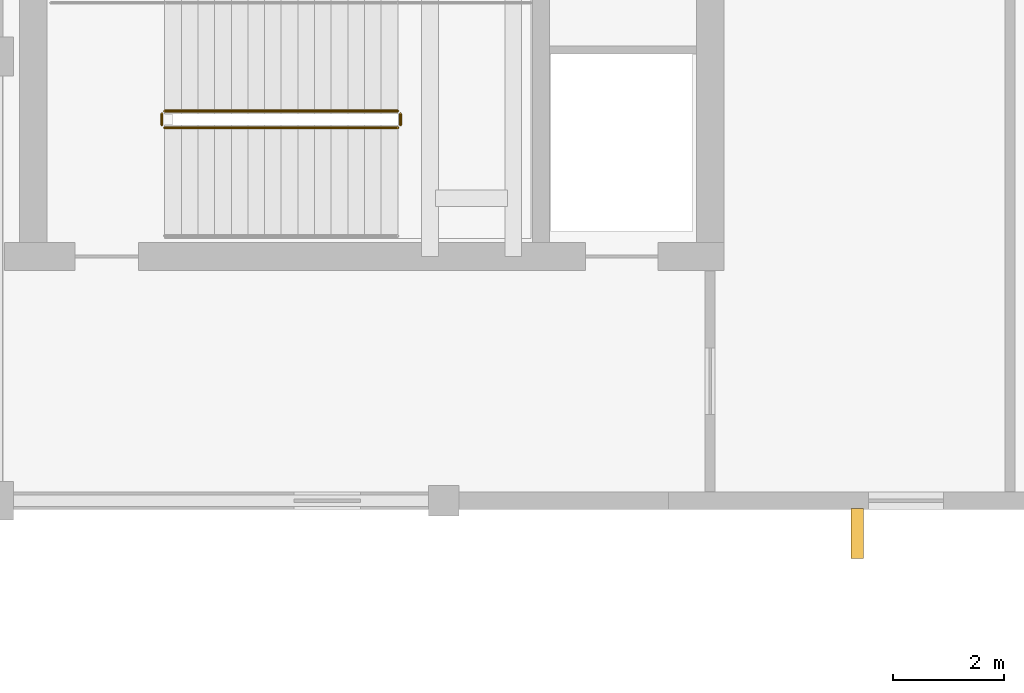
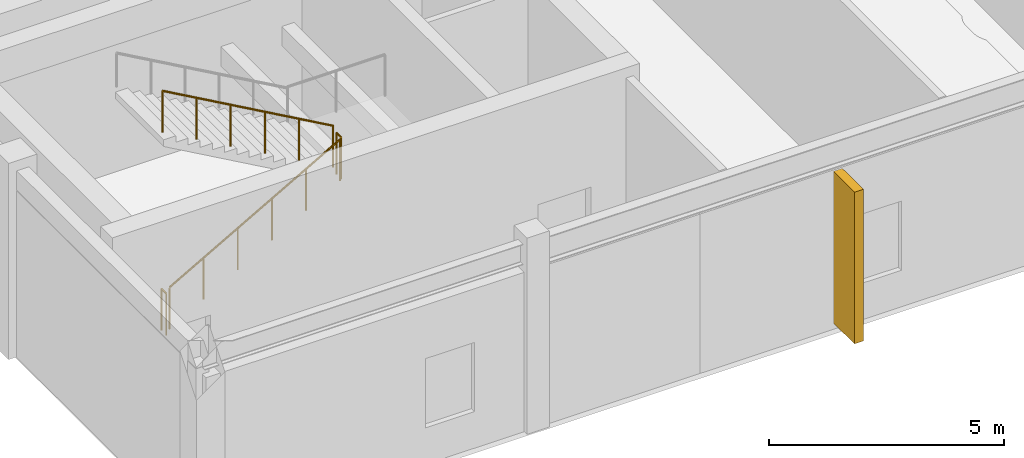
# One storey, part 104 of 107: 4 railings, 1 shading device.
"""IFC4 building model written with IfcOpenShell, lengths in metres."""

import ifcopenshell
import ifcopenshell.guid

model = None  # the IFC model being written
_history = None  # IfcOwnerHistory: only IFC2X3 demands one
_inside = {}  # id of a spatial element -> (the spatial element, [elements in it])
_under = {}  # id of a project, library or spatial element -> (it, [spatial elements below it])
_declared = {}  # id of a project -> (the project, [libraries it declares])
_typed = {}  # id of a type object -> (the type object, [elements of that type])
_made_of = {}  # id of a material, layer set ... -> (it, [elements and type objects made of it])


def new_model(schema):
    """Start an empty IFC model of exactly this schema.

    Asked for "IFC4X3", IfcOpenShell would pick the latest addendum, in which some entities
    have other attributes; the version numbers below select the first issue.
    IFC2X3 requires an IfcOwnerHistory on every rooted entity: one is made here for all.
    """
    global model, _history
    if schema == "IFC4X3":
        model = ifcopenshell.file(schema_version=(4, 3, 0, 0))
    else:
        model = ifcopenshell.file(schema=schema)
    _inside.clear()
    _under.clear()
    _declared.clear()
    _typed.clear()
    _made_of.clear()
    _history = None
    if model.schema == "IFC2X3":
        org = make("IfcOrganization", Name="unknown")
        user = make(
            "IfcPersonAndOrganization",
            ThePerson=make("IfcPerson", FamilyName="unknown"),
            TheOrganization=org,
        )
        app = make(
            "IfcApplication",
            ApplicationDeveloper=org,
            Version="unknown",
            ApplicationFullName="unknown",
            ApplicationIdentifier="unknown",
        )
        _history = make(
            "IfcOwnerHistory",
            OwningUser=user,
            OwningApplication=app,
            ChangeAction="ADDED",
            CreationDate=0,
        )
    return model


def make(cls, **values):
    """One entity of the class cls with the attributes given. An attribute that is None is left unset."""
    return model.create_entity(
        cls, **{name: value for name, value in values.items() if value is not None}
    )


def rooted(cls, **values):
    """An entity with a GlobalId (a new one), such as an element, a storey or a relation."""
    return make(cls, GlobalId=ifcopenshell.guid.new(), OwnerHistory=_history, **values)


def si_unit(unit_type, name, prefix=None):
    """IfcSIUnit, for example si_unit("LENGTHUNIT", "METRE", prefix="MILLI")."""
    return make("IfcSIUnit", UnitType=unit_type, Prefix=prefix, Name=name)


def assignment(units):
    """IfcUnitAssignment: the units of a project."""
    return None if units is None else make("IfcUnitAssignment", Units=units)


def point(xyz):
    """IfcCartesianPoint."""
    return None if xyz is None else make("IfcCartesianPoint", Coordinates=xyz)


def direction(xyz):
    """IfcDirection."""
    return None if xyz is None else make("IfcDirection", DirectionRatios=xyz)


def frame(location, z_axis=None, x_axis=None):
    """IfcAxis2Placement3D, a coordinate frame: its origin and axes. An axis left out is left unset."""
    return make(
        "IfcAxis2Placement3D",
        Location=point(location),
        Axis=direction(z_axis),
        RefDirection=direction(x_axis),
    )


def frame_2d(location, x_axis=None):
    """IfcAxis2Placement2D, a coordinate frame in the plane: its origin and x axis."""
    return make(
        "IfcAxis2Placement2D", Location=point(location), RefDirection=direction(x_axis)
    )


def origin():
    """The frame at (0, 0, 0) with its axes left unset."""
    return frame((0.0, 0.0, 0.0))


def origin_2d():
    """The frame at (0, 0) in the plane with its x axis left unset."""
    return frame_2d((0.0, 0.0))


def place(relative_to, where):
    """IfcLocalPlacement: puts the frame where relative to a parent placement (None: the world)."""
    return make(
        "IfcLocalPlacement", PlacementRelTo=relative_to, RelativePlacement=where
    )


def context(
    kind, dimensions, precision=None, world=None, true_north=None, identifier=None
):
    """IfcGeometricRepresentationContext, for example the 3D "Model" context."""
    return make(
        "IfcGeometricRepresentationContext",
        ContextIdentifier=identifier,
        ContextType=kind,
        CoordinateSpaceDimension=dimensions,
        Precision=precision,
        WorldCoordinateSystem=world,
        TrueNorth=true_north,
    )


def subcontext(parent, identifier, kind, view, scale=None):
    """IfcGeometricRepresentationSubContext, for example "Body" below "Model"."""
    return make(
        "IfcGeometricRepresentationSubContext",
        ContextIdentifier=identifier,
        ContextType=kind,
        ParentContext=parent,
        TargetScale=scale,
        TargetView=view,
    )


def project(units=None, contexts=None):
    """IfcProject with its units and contexts."""
    return rooted(
        "IfcProject",
        Name="project",
        RepresentationContexts=contexts,
        UnitsInContext=assignment(units),
    )


def spatial(cls, under=None, at=None, **own):
    """A site, building, storey or space (cls), placed at a placement, below another one or the project."""
    s = rooted(cls, ObjectPlacement=at, **own)
    if under is not None:
        _under.setdefault(under.id(), (under, []))[1].append(s)
    return s


def profile(cls, at=None, kind="AREA", **sizes):
    """A parametric profile (cls). Its sizes go by their IFC names, for example OverallWidth=200.0."""
    return make(cls, ProfileType=kind, Position=at, **sizes)


def rectangle(**sizes):
    """IfcRectangleProfileDef."""
    return profile("IfcRectangleProfileDef", **sizes)


def circle(**sizes):
    """IfcCircleProfileDef."""
    return profile("IfcCircleProfileDef", **sizes)


def extrude(swept, where, along, depth):
    """IfcExtrudedAreaSolid: the profile swept, set in the frame where, extruded along a direction by depth."""
    return make(
        "IfcExtrudedAreaSolid",
        SweptArea=swept,
        Position=where,
        ExtrudedDirection=direction(along),
        Depth=depth,
    )


def shape(context_of_items, identifier, shape_type, items):
    """IfcShapeRepresentation: the items that make up one representation, for example the "Body"."""
    return make(
        "IfcShapeRepresentation",
        ContextOfItems=context_of_items,
        RepresentationIdentifier=identifier,
        RepresentationType=shape_type,
        Items=items,
    )


def material(Name=None, Category=None):
    """IfcMaterial."""
    return make("IfcMaterial", Name=Name, Category=Category)


def material_profile(
    of_material, cross_section, Name=None, Category=None, Priority=None
):
    """IfcMaterialProfile: a cross section and its material."""
    return make(
        "IfcMaterialProfile",
        Name=Name,
        Material=of_material,
        Profile=cross_section,
        Priority=Priority,
        Category=Category,
    )


def profile_set(profiles, Name=None, composite=None):
    """IfcMaterialProfileSet."""
    return make(
        "IfcMaterialProfileSet",
        Name=Name,
        MaterialProfiles=profiles,
        CompositeProfile=composite,
    )


def made_of(thing, what):
    """Note that an element or type object is made of a material, layer set ...; save() writes the relation."""
    if what is not None:
        _made_of.setdefault(what.id(), (what, []))[1].append(thing)
    return thing


def type_object(cls, material=None, **own):
    """A type object (cls), such as IfcWallType, which elements share."""
    return made_of(rooted(cls, **own), material)


def element(
    cls,
    number,
    at=None,
    inside=None,
    cuts=None,
    type_object=None,
    material=None,
    context=None,
    identifier="Body",
    shape_type=None,
    held_by="IfcProductDefinitionShape",
    body=None,
    shapes=None,
    **own,
):
    """One element of the class cls, such as IfcWall. Its Tag is "e" and its number.

    at: its placement. inside: the storey or other place that contains it. cuts: it is an
    opening in that element (IfcRelVoidsElement). A single representation is given by context,
    identifier, shape_type and body (its items); several are given by shapes. held_by: the class
    of the entity that holds the representations. save() writes the other relations.
    """
    e = rooted(cls, Tag="e%d" % number, ObjectPlacement=at, **own)
    if body is not None:
        shapes = [shape(context, identifier, shape_type, body)]
    if shapes is not None:
        e.Representation = make(held_by, Representations=shapes)
    if inside is not None:
        _inside.setdefault(inside.id(), (inside, []))[1].append(e)
    if cuts is not None:
        rooted(
            "IfcRelVoidsElement", RelatingBuildingElement=cuts, RelatedOpeningElement=e
        )
    if type_object is not None:
        _typed.setdefault(type_object.id(), (type_object, []))[1].append(e)
    return made_of(e, material)


def aggregate(whole, parts):
    """IfcRelAggregates: a whole, such as a stair, and the parts it consists of."""
    return rooted("IfcRelAggregates", RelatingObject=whole, RelatedObjects=parts)


def save(model, path):
    """Write the relations noted so far, then the file.

    IfcRelAggregates (storeys below a building ...), IfcRelContainedInSpatialStructure (elements
    in a storey), IfcRelDefinesByType, IfcRelAssociatesMaterial and IfcRelDeclares: one each for
    every whole, place, type object, material and project.
    """
    for whole, parts in _under.values():
        aggregate(whole, parts)
    for where, things in _inside.values():
        rooted(
            "IfcRelContainedInSpatialStructure",
            RelatedElements=things,
            RelatingStructure=where,
        )
    for kind, things in _typed.values():
        rooted("IfcRelDefinesByType", RelatedObjects=things, RelatingType=kind)
    for what, things in _made_of.values():
        rooted("IfcRelAssociatesMaterial", RelatedObjects=things, RelatingMaterial=what)
    for by, libraries in _declared.values():
        rooted("IfcRelDeclares", RelatingContext=by, RelatedDefinitions=libraries)
    model.write(path)


model = new_model("IFC4")

# Units and contexts
model_context = context("Model", 3, precision=1e-05, world=origin(), true_north=direction((0.0, 1.0)))
body_context = subcontext(model_context, "Body", "Model", "MODEL_VIEW")
ifc_project = project(units=[si_unit("LENGTHUNIT", "METRE"), si_unit("AREAUNIT", "SQUARE_METRE"), si_unit("VOLUMEUNIT", "CUBIC_METRE"), si_unit("PLANEANGLEUNIT", "RADIAN"), si_unit("MASSUNIT", "GRAM", prefix="KILO")], contexts=[model_context])

# Site, building, storey
site_placement = place(None, origin())
site = spatial("IfcSite", under=ifc_project, at=site_placement, CompositionType="ELEMENT")
building_placement = place(site_placement, origin())
building = spatial("IfcBuilding", under=site, at=building_placement, Name="Tarnveldt Square Police Headquarters", CompositionType="ELEMENT")
storey_placement = place(building_placement, frame((0.0, 0.0, 14.699951171875)))
storey = spatial("IfcBuildingStorey", under=building, at=storey_placement, Name="L03", CompositionType="ELEMENT", Elevation=14.699951171875)

# Railings
ifc_material_1 = material(Name="Steel 350W", Category="steel")
railing_type = type_object("IfcRailingType", Name="RL-GR-1100", PredefinedType="GUARDRAIL", material=ifc_material_1)
railing_1_placement = place(storey_placement, frame((108.3701171875, 62.719970703125, 0.170166015625)))
element("IfcRailing", 1, at=railing_1_placement, inside=storey, type_object=railing_type, Name="L03 ST4 stair guard 1", PredefinedType="GUARDRAIL", context=body_context, shape_type="SweptSolid", body=[
    extrude(circle(Radius=0.02392578125, at=origin_2d()), frame((0.0, 0.0, 1.076171875), z_axis=(0.870030139814, 0.0, 0.492998535308), x_axis=(0.0, 1.0, 0.0)), (0.0, 0.0, 1.0), 4.827392578125),
    extrude(circle(Radius=0.02099609375, at=origin_2d()), origin(), (0.0, 0.0, 1.0), 1.052001953125),
    extrude(circle(Radius=0.02099609375, at=origin_2d()), frame((0.840087890625, 0.0, 0.47607421875)), (0.0, 0.0, 1.0), 1.052001953125),
    extrude(circle(Radius=0.02099609375, at=origin_2d()), frame((1.679931640625, 0.0, 0.951904296875)), (0.0, 0.0, 1.0), 1.052001953125),
    extrude(circle(Radius=0.02099609375, at=origin_2d()), frame((2.52001953125, 0.0, 1.427978515625)), (0.0, 0.0, 1.0), 1.052001953125),
    extrude(circle(Radius=0.02099609375, at=origin_2d()), frame((3.35986328125, 0.0, 1.90380859375)), (0.0, 0.0, 1.0), 1.052001953125),
    extrude(circle(Radius=0.02099609375, at=origin_2d()), frame((4.199951171875, 0.0, 2.3798828125)), (0.0, 0.0, 1.0), 1.052001953125),
])
railing_2_placement = place(storey_placement, frame((112.6201171875, 62.77001953125, 2.550048828125)))
element("IfcRailing", 2, at=railing_2_placement, inside=storey, type_object=railing_type, Name="L03 ST4 stair guard 2", PredefinedType="GUARDRAIL", context=body_context, shape_type="SweptSolid", body=[
    extrude(circle(Radius=0.02392578125, at=origin_2d()), frame((0.0, 0.0, 1.076171875), z_axis=(0.0, 1.0, 0.0), x_axis=(-1.0, 0.0, 0.0)), (0.0, 0.0, 1.0), 0.199951171875),
    extrude(circle(Radius=0.02099609375, at=origin_2d()), origin(), (0.0, 0.0, 1.0), 1.052001953125),
    extrude(circle(Radius=0.02099609375, at=origin_2d()), frame((0.0, 0.199951171875, 0.0)), (0.0, 0.0, 1.0), 1.052001953125),
])
railing_3_placement = place(storey_placement, frame((112.570068359375, 63.02001953125, 2.719970703125)))
element("IfcRailing", 3, at=railing_3_placement, inside=storey, type_object=railing_type, Name="L03 ST4 stair guard 4", PredefinedType="GUARDRAIL", context=body_context, shape_type="SweptSolid", body=[
    extrude(circle(Radius=0.02392578125, at=origin_2d()), frame((0.0, 0.0, 1.076171875), z_axis=(-0.870008446991, 0.0, 0.493036816236), x_axis=(0.0, -1.0, 0.0)), (0.0, 0.0, 1.0), 4.827392578125),
    extrude(circle(Radius=0.02099609375, at=origin_2d()), origin(), (0.0, 0.0, 1.0), 1.052001953125),
    extrude(circle(Radius=0.02099609375, at=origin_2d()), frame((-0.840087890625, 0.0, 0.47607421875)), (0.0, 0.0, 1.0), 1.052001953125),
    extrude(circle(Radius=0.02099609375, at=origin_2d()), frame((-1.679931640625, 0.0, 0.9521484375)), (0.0, 0.0, 1.0), 1.052001953125),
    extrude(circle(Radius=0.02099609375, at=origin_2d()), frame((-2.52001953125, 0.0, 1.427978515625)), (0.0, 0.0, 1.0), 1.052001953125),
    extrude(circle(Radius=0.02099609375, at=origin_2d()), frame((-3.35986328125, 0.0, 1.904052734375)), (0.0, 0.0, 1.0), 1.052001953125),
    extrude(circle(Radius=0.02099609375, at=origin_2d()), frame((-4.199951171875, 0.0, 2.380126953125)), (0.0, 0.0, 1.0), 1.052001953125),
])
railing_4_placement = place(storey_placement, frame((108.320068359375, 62.77001953125, 0.0)))
element("IfcRailing", 4, at=railing_4_placement, inside=storey, type_object=railing_type, Name="L03 ST4 stair guard 5", PredefinedType="GUARDRAIL", context=body_context, shape_type="SweptSolid", body=[
    extrude(circle(Radius=0.02392578125, at=origin_2d()), frame((0.0, 0.0, 1.076171875), z_axis=(0.0, 1.0, 0.0), x_axis=(-1.0, 0.0, 0.0)), (0.0, 0.0, 1.0), 0.199951171875),
    extrude(circle(Radius=0.02099609375, at=origin_2d()), origin(), (0.0, 0.0, 1.0), 1.052001953125),
    extrude(circle(Radius=0.02099609375, at=origin_2d()), frame((0.0, 0.199951171875, 0.0)), (0.0, 0.0, 1.0), 1.052001953125),
])

# Shading device
ifc_material_2 = material(Name="Precast concrete 35 MPa", Category="concrete")
ifc_material_profile = material_profile(ifc_material_2, rectangle(XDim=0.219970703125, YDim=0.89990234375, at=origin_2d()), Name="PC-FIN220x900")
ifc_profile_set = profile_set([ifc_material_profile], Name="Precast concrete 35 MPa")
shading_device_type = type_object("IfcShadingDeviceType", Name="SHD-FIN-900", PredefinedType="USERDEFINED", material=ifc_profile_set)
shading_device_placement = place(storey_placement, frame((120.85009765625, 55.409912109375, 0.150146484375), z_axis=(0.0, 0.0, 1.0), x_axis=(1.0, 0.0, 0.0)))
element("IfcShadingDevice", 5, at=shading_device_placement, inside=storey, type_object=shading_device_type, Name="L03 Precast Deep-Reveal Brutalist Fin 037", ObjectType="SOLAR SHADING FIN", PredefinedType="USERDEFINED", context=body_context, shape_type="SweptSolid", body=[
    extrude(rectangle(XDim=0.219970703125, YDim=0.89990234375, at=origin_2d()), origin(), (0.0, 0.0, 1.0), 3.94384765625),
])

save(model, "model.ifc")
